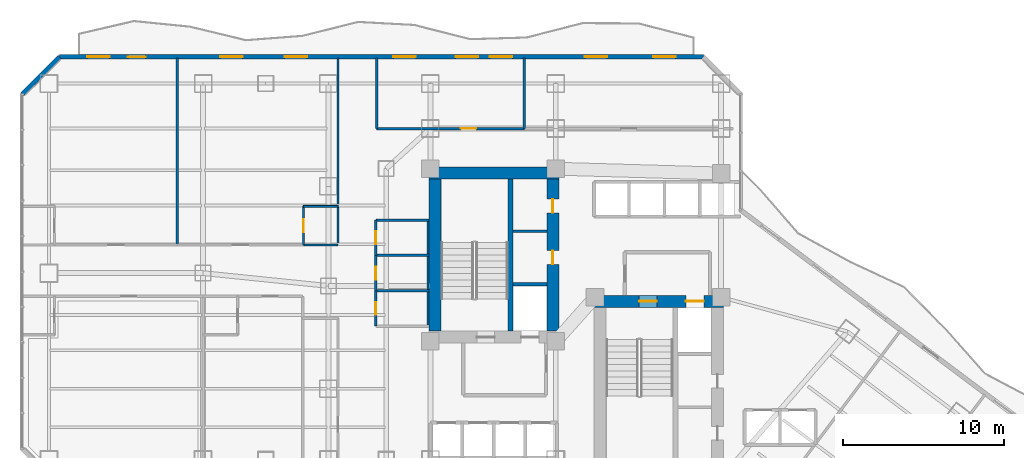
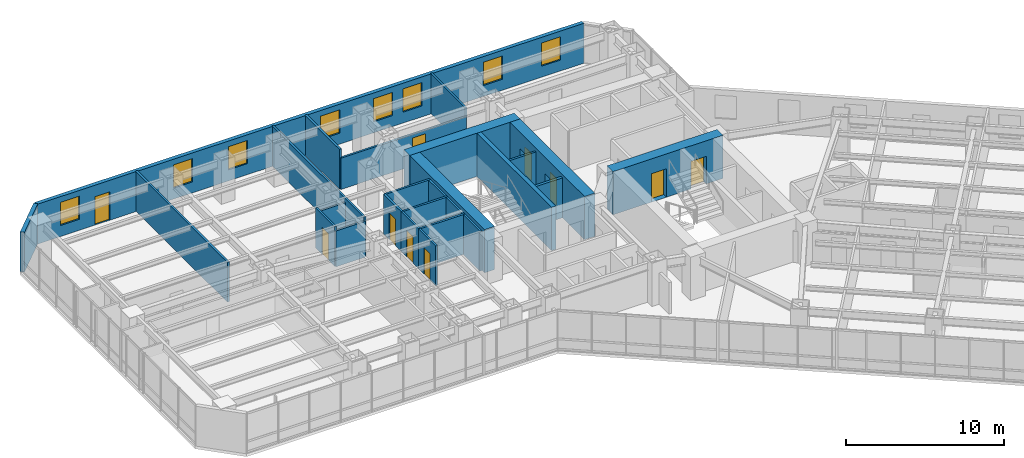
# One storey, part 31 of 39: 24 walls, 10 doors, 8 windows, 18 openings.
"""IFC4 building model written with IfcOpenShell, lengths in metres."""

from ifc_helpers import new_model, si_unit, direction, frame, frame_2d, origin, place, context, subcontext, project, spatial, rectangle, extrude, material, layer, layer_set, type_object, element, fill, save


model = new_model("IFC4")

# Units and contexts
model_context = context("Model", 3, precision=1e-05, world=origin(), true_north=direction((0.0, 1.0)))
body_context = subcontext(model_context, "Body", "Model", "MODEL_VIEW")
ifc_project = project(units=[si_unit("LENGTHUNIT", "METRE"), si_unit("AREAUNIT", "SQUARE_METRE"), si_unit("VOLUMEUNIT", "CUBIC_METRE"), si_unit("PLANEANGLEUNIT", "RADIAN"), si_unit("MASSUNIT", "GRAM", prefix="KILO")], contexts=[model_context])

# Site, building, storey
site_placement = place(None, origin())
site = spatial("IfcSite", under=ifc_project, at=site_placement, CompositionType="ELEMENT")
building_placement = place(site_placement, origin())
building = spatial("IfcBuilding", under=site, at=building_placement, Name="Hatsunagi Terrace Concourse", CompositionType="ELEMENT")
storey_placement = place(building_placement, frame((0.0, 0.0, 66.75)))
storey = spatial("IfcBuildingStorey", under=building, at=storey_placement, Name="L17", CompositionType="ELEMENT", Elevation=66.75)

# Walls
ifc_material_1 = material(Name="Concrete Fc60", Category="concrete")
ifc_layer_1 = layer(ifc_material_1, 0.75)
ifc_layer_set_1 = layer_set([ifc_layer_1], Name="CoreShearWall_Fc60_750")
wall_type_1 = type_object("IfcWallType", Name="CoreShearWall_Fc60_750", PredefinedType="SHEAR", material=ifc_layer_set_1)
wall_1_placement = place(storey_placement, frame((25.469970703125, 43.044921875, 0.0), z_axis=(0.0, 0.0, 1.0), x_axis=(1.0, 0.0, 0.0)))
element("IfcWall", 1, at=wall_1_placement, inside=storey, type_object=wall_type_1, Name="Core A Shear Wall N L17", PredefinedType="SHEAR", context=body_context, shape_type="SweptSolid", body=[
    extrude(rectangle(XDim=8.080078125, YDim=0.75, at=frame_2d((4.0400390625, 0.0))), origin(), (0.0, 0.0, 1.0), 3.35009765625),
])
wall_2_placement = place(storey_placement, frame((25.844970703125, 33.18994140625, 0.0), z_axis=(0.0, 0.0, 1.0), x_axis=(0.0, 1.0, 0.0)))
element("IfcWall", 2, at=wall_2_placement, inside=storey, type_object=wall_type_1, Name="Core A Shear Wall W L17", PredefinedType="SHEAR", context=body_context, shape_type="SweptSolid", body=[
    extrude(rectangle(XDim=9.47998046875, YDim=0.75, at=frame_2d((4.739990234375, 0.0))), origin(), (0.0, 0.0, 1.0), 3.35009765625),
])

# Wall, openings, doors
wall_3_placement = place(storey_placement, frame((33.175048828125, 33.18994140625, 0.0), z_axis=(0.0, 0.0, 1.0), x_axis=(0.0, 1.0, 0.0)))
wall_3 = element("IfcWall", 3, at=wall_3_placement, inside=storey, type_object=wall_type_1, Name="Core A Shear Wall E L17", PredefinedType="SHEAR", context=body_context, shape_type="SweptSolid", body=[
    extrude(rectangle(XDim=9.47998046875, YDim=0.75, at=frame_2d((4.739990234375, 0.0))), origin(), (0.0, 0.0, 1.0), 3.35009765625),
])
opening_1_placement = place(wall_3_placement, frame((4.159912109375, 0.0, 0.0)))
opening_1 = element("IfcOpeningElement", 4, at=opening_1_placement, cuts=wall_3, Name="Opening DR-085", PredefinedType="OPENING", context=body_context, shape_type="SweptSolid", body=[
    extrude(rectangle(XDim=0.85009765625, YDim=2.080078125, at=frame_2d((0.425048828125, 1.0400390625))), frame((0.0, 0.385009765625, 0.0), z_axis=(0.0, -1.0, 0.0), x_axis=(1.0, 0.0, 0.0)), (0.0, 0.0, 1.0), 0.77001953125),
])
opening_2_placement = place(wall_3_placement, frame((7.360107421875, 0.0, 0.0)))
opening_2 = element("IfcOpeningElement", 5, at=opening_2_placement, cuts=wall_3, Name="Opening DR-085", PredefinedType="OPENING", context=body_context, shape_type="SweptSolid", body=[
    extrude(rectangle(XDim=0.85009765625, YDim=2.080078125, at=frame_2d((0.425048828125, 1.0400390625))), frame((0.0, 0.385009765625, 0.0), z_axis=(0.0, -1.0, 0.0), x_axis=(1.0, 0.0, 0.0)), (0.0, 0.0, 1.0), 0.77001953125),
])
ifc_material_2 = material(Name="Painted steel", Category="steel")
door_type_1 = type_object("IfcDoorType", Name="RiserAccessDoor_EI60_850", OperationType="NOTDEFINED", PredefinedType="DOOR", material=ifc_material_2)
door_1_placement = place(opening_1_placement, origin())
door_1 = element("IfcDoor", 6, at=door_1_placement, inside=storey, type_object=door_type_1, Name="Core A Riser Door L17-1", OperationType="SINGLE_SWING_LEFT", OverallHeight=2.080078125, OverallWidth=0.85009765625, PredefinedType="DOOR", context=body_context, shape_type="SweptSolid", body=[
    extrude(rectangle(XDim=0.85009765625, YDim=2.080078125, at=frame_2d((0.425048828125, 1.0400390625))), frame((0.0, 0.02490234375, 0.0), z_axis=(0.0, -1.0, 0.0), x_axis=(1.0, 0.0, 0.0)), (0.0, 0.0, 1.0), 0.050048828125),
])
fill(opening_1, door_1)
door_2_placement = place(opening_2_placement, origin())
door_2 = element("IfcDoor", 7, at=door_2_placement, inside=storey, type_object=door_type_1, Name="Core A Riser Door L17-2", OperationType="SINGLE_SWING_LEFT", OverallHeight=2.080078125, OverallWidth=0.85009765625, PredefinedType="DOOR", context=body_context, shape_type="SweptSolid", body=[
    extrude(rectangle(XDim=0.85009765625, YDim=2.080078125, at=frame_2d((0.425048828125, 1.0400390625))), frame((0.0, 0.02490234375, 0.0), z_axis=(0.0, -1.0, 0.0), x_axis=(1.0, 0.0, 0.0)), (0.0, 0.0, 1.0), 0.050048828125),
])
fill(opening_2, door_2)

wall_4_placement = place(storey_placement, frame((35.739990234375, 35.044921875, 0.0), z_axis=(0.0, 0.0, 1.0), x_axis=(1.0, 0.0, 0.0)))
wall_4 = element("IfcWall", 8, at=wall_4_placement, inside=storey, type_object=wall_type_1, Name="Core B Shear Wall N L17", PredefinedType="SHEAR", context=body_context, shape_type="SweptSolid", body=[
    extrude(rectangle(XDim=8.06005859375, YDim=0.75, at=frame_2d((4.030029296875, 0.0))), origin(), (0.0, 0.0, 1.0), 3.35009765625),
])
opening_3_placement = place(wall_4_placement, frame((2.81005859375, 0.0, 0.0)))
opening_3 = element("IfcOpeningElement", 9, at=opening_3_placement, cuts=wall_4, Name="Opening DR-110S", PredefinedType="OPENING", context=body_context, shape_type="SweptSolid", body=[
    extrude(rectangle(XDim=1.10009765625, YDim=2.199951171875, at=frame_2d((0.550048828125, 1.10009765625))), frame((0.0, 0.385009765625, 0.0), z_axis=(0.0, -1.0, 0.0), x_axis=(1.0, 0.0, 0.0)), (0.0, 0.0, 1.0), 0.77001953125),
])
opening_4_placement = place(wall_4_placement, frame((5.7099609375, 0.0, 0.0)))
opening_4 = element("IfcOpeningElement", 10, at=opening_4_placement, cuts=wall_4, Name="Opening LD-02", PredefinedType="OPENING", context=body_context, shape_type="SweptSolid", body=[
    extrude(rectangle(XDim=1.1201171875, YDim=2.14990234375, at=frame_2d((0.56005859375, 1.074951171875))), frame((0.0, 0.385009765625, 0.0), z_axis=(0.0, -1.0, 0.0), x_axis=(1.0, 0.0, 0.0)), (0.0, 0.0, 1.0), 0.77001953125),
])
ifc_material_3 = material(Name="Stainless steel", Category="steel")
door_type_2 = type_object("IfcDoorType", Name="LiftLandingDoor_LD02", OperationType="SLIDING_TO_RIGHT", PredefinedType="USERDEFINED", material=ifc_material_3)
door_3_placement = place(opening_4_placement, origin())
door_3 = element("IfcDoor", 11, at=door_3_placement, inside=storey, type_object=door_type_2, Name="Lift landing door FF-02 L17", ObjectType="SLIDING_LANDING_DOOR", OperationType="SLIDING_TO_RIGHT", OverallHeight=2.14990234375, OverallWidth=1.1201171875, PredefinedType="USERDEFINED", context=body_context, shape_type="SweptSolid", body=[
    extrude(rectangle(XDim=1.1201171875, YDim=2.14990234375, at=frame_2d((0.56005859375, 1.074951171875))), frame((0.0, 0.02490234375, 0.0), z_axis=(0.0, -1.0, 0.0), x_axis=(1.0, 0.0, 0.0)), (0.0, 0.0, 1.0), 0.050048828125),
])
fill(opening_4, door_3)
ifc_material_4 = material(Name="Painted steel", Category="steel")
door_type_3 = type_object("IfcDoorType", Name="StairFireDoor_EI60_1100", OperationType="NOTDEFINED", PredefinedType="DOOR", material=ifc_material_4)
door_4_placement = place(opening_3_placement, origin())
door_4 = element("IfcDoor", 12, at=door_4_placement, inside=storey, type_object=door_type_3, Name="Stair ST-B Exit Door L17", OperationType="SINGLE_SWING_RIGHT", OverallHeight=2.199951171875, OverallWidth=1.10009765625, PredefinedType="DOOR", context=body_context, shape_type="SweptSolid", body=[
    extrude(rectangle(XDim=1.10009765625, YDim=2.199951171875, at=frame_2d((0.550048828125, 1.10009765625))), frame((0.0, 0.02490234375, 0.0), z_axis=(0.0, -1.0, 0.0), x_axis=(1.0, 0.0, 0.0)), (0.0, 0.0, 1.0), 0.050048828125),
])
fill(opening_3, door_4)

# Wall
ifc_material_5 = material(Name="Concrete Fc48", Category="concrete")
ifc_layer_2 = layer(ifc_material_5, 0.300048828125)
ifc_layer_set_2 = layer_set([ifc_layer_2], Name="CoreStairDivider_Fc48_300")
wall_type_2 = type_object("IfcWallType", Name="CoreStairDivider_Fc48_300", PredefinedType="SHEAR", material=ifc_layer_set_2)
wall_5_placement = place(storey_placement, frame((30.5400390625, 33.18994140625, 0.0), z_axis=(0.0, 0.0, 1.0), x_axis=(0.0, 1.0, 0.0)))
element("IfcWall", 13, at=wall_5_placement, inside=storey, type_object=wall_type_2, Name="Core A Shear Wall D L17", PredefinedType="SHEAR", context=body_context, shape_type="SweptSolid", body=[
    extrude(rectangle(XDim=9.47998046875, YDim=0.300048828125, at=frame_2d((4.739990234375, 0.0))), origin(), (0.0, 0.0, 1.0), 3.35009765625),
])

# Wall, opening, door
ifc_material_6 = material(Name="Acoustic mineral board", Category="gypsum")
ifc_layer_3 = layer(ifc_material_6, 0.1201171875)
ifc_layer_set_3 = layer_set([ifc_layer_3], Name="PartitionWall_EI30_120")
wall_type_3 = type_object("IfcWallType", Name="PartitionWall_EI30_120", PredefinedType="PARTITIONING", material=ifc_layer_set_3)
wall_6_placement = place(storey_placement, frame((17.64990234375, 38.550048828125, 0.0), z_axis=(0.0, 0.0, 1.0), x_axis=(0.0, 1.0, 0.0)))
wall_6 = element("IfcWall", 14, at=wall_6_placement, inside=storey, type_object=wall_type_3, Name="Interior Partition IW-L17-051", PredefinedType="PARTITIONING", context=body_context, shape_type="SweptSolid", body=[
    extrude(rectangle(XDim=2.39990234375, YDim=0.1201171875, at=frame_2d((1.199951171875, 0.0))), origin(), (0.0, 0.0, 1.0), 3.090087890625),
])
opening_5_placement = place(wall_6_placement, frame((0.800048828125, 0.0, 0.0)))
opening_5 = element("IfcOpeningElement", 15, at=opening_5_placement, cuts=wall_6, Name="Opening DR-080", PredefinedType="OPENING", context=body_context, shape_type="SweptSolid", body=[
    extrude(rectangle(XDim=0.800048828125, YDim=2.06005859375, at=frame_2d((0.39990234375, 1.030029296875))), frame((0.0, 0.070068359375, 0.0), z_axis=(0.0, -1.0, 0.0), x_axis=(1.0, 0.0, 0.0)), (0.0, 0.0, 1.0), 0.14013671875),
])
ifc_material_7 = material(Name="Hardwood timber", Category="wood")
door_type_4 = type_object("IfcDoorType", Name="BathroomDoor_800", OperationType="NOTDEFINED", PredefinedType="DOOR", material=ifc_material_7)
door_5_placement = place(opening_5_placement, origin())
door_5 = element("IfcDoor", 16, at=door_5_placement, inside=storey, type_object=door_type_4, Name="En-Suite Bathroom L17-N2 Door", OperationType="SINGLE_SWING_LEFT", OverallHeight=2.06005859375, OverallWidth=0.800048828125, PredefinedType="DOOR", context=body_context, shape_type="SweptSolid", body=[
    extrude(rectangle(XDim=0.800048828125, YDim=2.06005859375, at=frame_2d((0.39990234375, 1.030029296875))), frame((0.0, 0.02490234375, 0.0), z_axis=(0.0, -1.0, 0.0), x_axis=(1.0, 0.0, 0.0)), (0.0, 0.0, 1.0), 0.050048828125),
])
fill(opening_5, door_5)

# Walls
wall_7_placement = place(storey_placement, frame((17.64990234375, 40.949951171875, 0.0), z_axis=(0.0, 0.0, 1.0), x_axis=(1.0, 0.0, 0.0)))
element("IfcWall", 17, at=wall_7_placement, inside=storey, type_object=wall_type_3, Name="Interior Partition IW-L17-052", PredefinedType="PARTITIONING", context=body_context, shape_type="SweptSolid", body=[
    extrude(rectangle(XDim=2.150146484375, YDim=0.1201171875, at=frame_2d((1.0751953125, 0.0))), origin(), (0.0, 0.0, 1.0), 2.77490234375),
])
ifc_material_8 = material(Name="Acoustic mineral board", Category="gypsum")
ifc_layer_4 = layer(ifc_material_8, 0.14990234375)
ifc_layer_set_4 = layer_set([ifc_layer_4], Name="PartitionWall_EI60_150")
wall_type_4 = type_object("IfcWallType", Name="PartitionWall_EI60_150", PredefinedType="PARTITIONING", material=ifc_layer_set_4)
wall_8_placement = place(storey_placement, frame((30.699951171875, 39.39990234375, 0.0), z_axis=(0.0, 0.0, 1.0), x_axis=(1.0, 0.0, 0.0)))
element("IfcWall", 18, at=wall_8_placement, inside=storey, type_object=wall_type_4, Name="Interior Partition IW-L17-002", PredefinedType="PARTITIONING", context=body_context, shape_type="SweptSolid", body=[
    extrude(rectangle(XDim=2.10009765625, YDim=0.14990234375, at=frame_2d((1.050048828125, 0.0))), origin(), (0.0, 0.0, 1.0), 3.090087890625),
])
wall_9_placement = place(storey_placement, frame((22.14990234375, 40.10009765625, 0.0), z_axis=(0.0, 0.0, 1.0), x_axis=(1.0, 0.0, 0.0)))
element("IfcWall", 19, at=wall_9_placement, inside=storey, type_object=wall_type_4, Name="Interior Partition IW-L17-030", PredefinedType="PARTITIONING", context=body_context, shape_type="SweptSolid", body=[
    extrude(rectangle(XDim=3.300048828125, YDim=0.14990234375, at=frame_2d((1.64990234375, 0.0))), origin(), (0.0, 0.0, 1.0), 3.090087890625),
])
wall_10_placement = place(storey_placement, frame((25.39990234375, 33.5, 0.0), z_axis=(0.0, 0.0, 1.0), x_axis=(0.0, 1.0, 0.0)))
element("IfcWall", 20, at=wall_10_placement, inside=storey, type_object=wall_type_4, Name="Interior Partition IW-L17-031", PredefinedType="PARTITIONING", context=body_context, shape_type="SweptSolid", body=[
    extrude(rectangle(XDim=6.60009765625, YDim=0.14990234375, at=frame_2d((3.300048828125, 0.0))), origin(), (0.0, 0.0, 1.0), 3.090087890625),
])
for number, where, z_axis, x_axis, name in (
    (21, (22.14990234375, 35.699951171875, 0.0), (0.0, 0.0, 1.0), (1.0, 0.0, 0.0), "Interior Partition IW-L17-032"),
    (22, (22.14990234375, 37.89990234375, 0.0), (0.0, 0.0, 1.0), (1.0, 0.0, 0.0), "Interior Partition IW-L17-033"),
):
    element("IfcWall", number, at=place(storey_placement, frame(where, z_axis=z_axis, x_axis=x_axis)), inside=storey, type_object=wall_type_4, Name=name, PredefinedType="PARTITIONING", context=body_context, shape_type="SweptSolid", body=[
        extrude(rectangle(XDim=3.300048828125, YDim=0.14990234375, at=frame_2d((1.64990234375, 0.0))), origin(), (0.0, 0.0, 1.0), 3.090087890625),
    ])

# Wall, opening, door
wall_11_placement = place(storey_placement, frame((22.14990234375, 33.5, 0.0), z_axis=(0.0, 0.0, 1.0), x_axis=(0.0, 1.0, 0.0)))
wall_11 = element("IfcWall", 23, at=wall_11_placement, inside=storey, type_object=wall_type_4, Name="Interior Partition IW-L17-034", PredefinedType="PARTITIONING", context=body_context, shape_type="SweptSolid", body=[
    extrude(rectangle(XDim=2.199951171875, YDim=0.14990234375, at=frame_2d((1.10009765625, 0.0))), origin(), (0.0, 0.0, 1.0), 3.090087890625),
])
opening_6_placement = place(wall_11_placement, frame((0.699951171875, 0.0, 0.0)))
opening_6 = element("IfcOpeningElement", 24, at=opening_6_placement, cuts=wall_11, Name="Opening DR-080", PredefinedType="OPENING", context=body_context, shape_type="SweptSolid", body=[
    extrude(rectangle(XDim=0.800048828125, YDim=2.06005859375, at=frame_2d((0.39990234375, 1.030029296875))), frame((0.0, 0.0849609375, 0.0), z_axis=(0.0, -1.0, 0.0), x_axis=(1.0, 0.0, 0.0)), (0.0, 0.0, 1.0), 0.169921875),
])
door_6_placement = place(opening_6_placement, origin())
door_6 = element("IfcDoor", 25, at=door_6_placement, inside=storey, type_object=door_type_4, Name="Accessible WC Door L17", OperationType="SINGLE_SWING_RIGHT", OverallHeight=2.06005859375, OverallWidth=0.800048828125, PredefinedType="DOOR", context=body_context, shape_type="SweptSolid", body=[
    extrude(rectangle(XDim=0.800048828125, YDim=2.06005859375, at=frame_2d((0.39990234375, 1.030029296875))), frame((0.0, 0.02490234375, 0.0), z_axis=(0.0, -1.0, 0.0), x_axis=(1.0, 0.0, 0.0)), (0.0, 0.0, 1.0), 0.050048828125),
])
fill(opening_6, door_6)

wall_12_placement = place(storey_placement, frame((22.14990234375, 35.699951171875, 0.0), z_axis=(0.0, 0.0, 1.0), x_axis=(0.0, 1.0, 0.0)))
wall_12 = element("IfcWall", 26, at=wall_12_placement, inside=storey, type_object=wall_type_4, Name="Interior Partition IW-L17-035", PredefinedType="PARTITIONING", context=body_context, shape_type="SweptSolid", body=[
    extrude(rectangle(XDim=2.199951171875, YDim=0.14990234375, at=frame_2d((1.10009765625, 0.0))), origin(), (0.0, 0.0, 1.0), 3.090087890625),
])
opening_7_placement = place(wall_12_placement, frame((0.699951171875, 0.0, 0.0)))
opening_7 = element("IfcOpeningElement", 27, at=opening_7_placement, cuts=wall_12, Name="Opening DR-080", PredefinedType="OPENING", context=body_context, shape_type="SweptSolid", body=[
    extrude(rectangle(XDim=0.800048828125, YDim=2.06005859375, at=frame_2d((0.39990234375, 1.030029296875))), frame((0.0, 0.0849609375, 0.0), z_axis=(0.0, -1.0, 0.0), x_axis=(1.0, 0.0, 0.0)), (0.0, 0.0, 1.0), 0.169921875),
])
door_7_placement = place(opening_7_placement, origin())
door_7 = element("IfcDoor", 28, at=door_7_placement, inside=storey, type_object=door_type_4, Name="Female Restroom Door L17", OperationType="SINGLE_SWING_RIGHT", OverallHeight=2.06005859375, OverallWidth=0.800048828125, PredefinedType="DOOR", context=body_context, shape_type="SweptSolid", body=[
    extrude(rectangle(XDim=0.800048828125, YDim=2.06005859375, at=frame_2d((0.39990234375, 1.030029296875))), frame((0.0, 0.02490234375, 0.0), z_axis=(0.0, -1.0, 0.0), x_axis=(1.0, 0.0, 0.0)), (0.0, 0.0, 1.0), 0.050048828125),
])
fill(opening_7, door_7)

wall_13_placement = place(storey_placement, frame((22.14990234375, 37.89990234375, 0.0), z_axis=(0.0, 0.0, 1.0), x_axis=(0.0, 1.0, 0.0)))
wall_13 = element("IfcWall", 29, at=wall_13_placement, inside=storey, type_object=wall_type_4, Name="Interior Partition IW-L17-036", PredefinedType="PARTITIONING", context=body_context, shape_type="SweptSolid", body=[
    extrude(rectangle(XDim=2.2001953125, YDim=0.14990234375, at=frame_2d((1.10009765625, 0.0))), origin(), (0.0, 0.0, 1.0), 3.090087890625),
])
opening_8_placement = place(wall_13_placement, frame((0.699951171875, 0.0, 0.0)))
opening_8 = element("IfcOpeningElement", 30, at=opening_8_placement, cuts=wall_13, Name="Opening DR-080", PredefinedType="OPENING", context=body_context, shape_type="SweptSolid", body=[
    extrude(rectangle(XDim=0.800048828125, YDim=2.06005859375, at=frame_2d((0.39990234375, 1.030029296875))), frame((0.0, 0.0849609375, 0.0), z_axis=(0.0, -1.0, 0.0), x_axis=(1.0, 0.0, 0.0)), (0.0, 0.0, 1.0), 0.169921875),
])
door_8_placement = place(opening_8_placement, origin())
door_8 = element("IfcDoor", 31, at=door_8_placement, inside=storey, type_object=door_type_4, Name="Male Restroom Door L17", OperationType="SINGLE_SWING_RIGHT", OverallHeight=2.06005859375, OverallWidth=0.800048828125, PredefinedType="DOOR", context=body_context, shape_type="SweptSolid", body=[
    extrude(rectangle(XDim=0.800048828125, YDim=2.06005859375, at=frame_2d((0.39990234375, 1.030029296875))), frame((0.0, 0.02490234375, 0.0), z_axis=(0.0, -1.0, 0.0), x_axis=(1.0, 0.0, 0.0)), (0.0, 0.0, 1.0), 0.050048828125),
])
fill(opening_8, door_8)

wall_14_placement = place(storey_placement, frame((22.199951171875, 45.800048828125, 0.0), z_axis=(0.0, 0.0, 1.0), x_axis=(1.0, 0.0, 0.0)))
wall_14 = element("IfcWall", 32, at=wall_14_placement, inside=storey, type_object=wall_type_4, Name="Interior Partition IW-L17-037", PredefinedType="PARTITIONING", context=body_context, shape_type="SweptSolid", body=[
    extrude(rectangle(XDim=9.199951171875, YDim=0.14990234375, at=frame_2d((4.60009765625, 0.0))), origin(), (0.0, 0.0, 1.0), 2.425048828125),
])
opening_9_placement = place(wall_14_placement, frame((5.248046875, 0.0, 0.0)))
opening_9 = element("IfcOpeningElement", 33, at=opening_9_placement, cuts=wall_14, Name="Opening DR-095", PredefinedType="OPENING", context=body_context, shape_type="SweptSolid", body=[
    extrude(rectangle(XDim=0.949951171875, YDim=2.14990234375, at=frame_2d((0.47509765625, 1.074951171875))), frame((0.0, 0.0849609375, 0.0), z_axis=(0.0, -1.0, 0.0), x_axis=(1.0, 0.0, 0.0)), (0.0, 0.0, 1.0), 0.169921875),
])
ifc_material_9 = material(Name="Hardwood timber", Category="wood")
door_type_5 = type_object("IfcDoorType", Name="InteriorSuiteDoor_EI30_950", OperationType="NOTDEFINED", PredefinedType="DOOR", material=ifc_material_9)
door_9_placement = place(opening_9_placement, origin())
door_9 = element("IfcDoor", 34, at=door_9_placement, inside=storey, type_object=door_type_5, Name="Housekeeping Linen Room L17-HLIN Door", OperationType="SINGLE_SWING_LEFT", OverallHeight=2.14990234375, OverallWidth=0.949951171875, PredefinedType="DOOR", context=body_context, shape_type="SweptSolid", body=[
    extrude(rectangle(XDim=0.949951171875, YDim=2.14990234375, at=frame_2d((0.47509765625, 1.074951171875))), frame((0.0, 0.02490234375, 0.0), z_axis=(0.0, -1.0, 0.0), x_axis=(1.0, 0.0, 0.0)), (0.0, 0.0, 1.0), 0.050048828125),
])
fill(opening_9, door_9)

# Walls
for number, where, z_axis, x_axis, name in (
    (35, (22.199951171875, 45.800048828125, 0.0), (0.0, 0.0, 1.0), (0.0, 1.0, 0.0), "Interior Partition IW-L17-038"),
    (36, (31.39990234375, 45.800048828125, 0.0), (0.0, 0.0, 1.0), (0.0, 1.0, 0.0), "Interior Partition IW-L17-039"),
):
    element("IfcWall", number, at=place(storey_placement, frame(where, z_axis=z_axis, x_axis=x_axis)), inside=storey, type_object=wall_type_4, Name=name, PredefinedType="PARTITIONING", context=body_context, shape_type="SweptSolid", body=[
        extrude(rectangle(XDim=4.39990234375, YDim=0.14990234375, at=frame_2d((2.199951171875, 0.0))), origin(), (0.0, 0.0, 1.0), 3.090087890625),
    ])
wall_15_placement = place(storey_placement, frame((9.800048828125, 38.550048828125, 0.0), z_axis=(0.0, 0.0, 1.0), x_axis=(0.0, 1.0, 0.0)))
element("IfcWall", 37, at=wall_15_placement, inside=storey, type_object=wall_type_4, Name="Interior Partition IW-L17-048", PredefinedType="PARTITIONING", context=body_context, shape_type="SweptSolid", body=[
    extrude(rectangle(XDim=11.64990234375, YDim=0.14990234375, at=frame_2d((5.824951171875, 0.0))), origin(), (0.0, 0.0, 1.0), 3.090087890625),
])
wall_16_placement = place(storey_placement, frame((17.64990234375, 38.550048828125, 0.0), z_axis=(0.0, 0.0, 1.0), x_axis=(1.0, 0.0, 0.0)))
element("IfcWall", 38, at=wall_16_placement, inside=storey, type_object=wall_type_4, Name="Interior Partition IW-L17-050", PredefinedType="PARTITIONING", context=body_context, shape_type="SweptSolid", body=[
    extrude(rectangle(XDim=2.150146484375, YDim=0.14990234375, at=frame_2d((1.0751953125, 0.0))), origin(), (0.0, 0.0, 1.0), 2.77490234375),
])
wall_17_placement = place(storey_placement, frame((19.800048828125, 38.550048828125, 0.0), z_axis=(0.0, 0.0, 1.0), x_axis=(0.0, 1.0, 0.0)))
element("IfcWall", 39, at=wall_17_placement, inside=storey, type_object=wall_type_4, Name="Interior Partition IW-L17-053", PredefinedType="PARTITIONING", context=body_context, shape_type="SweptSolid", body=[
    extrude(rectangle(XDim=11.64990234375, YDim=0.14990234375, at=frame_2d((5.824951171875, 0.0))), origin(), (0.0, 0.0, 1.0), 3.090087890625),
])
ifc_material_10 = material(Name="Acoustic mineral board", Category="gypsum")
ifc_layer_5 = layer(ifc_material_10, 0.199951171875)
ifc_layer_set_5 = layer_set([ifc_layer_5], Name="ShaftWall_EI120_200")
wall_type_5 = type_object("IfcWallType", Name="ShaftWall_EI120_200", PredefinedType="STANDARD", material=ifc_layer_set_5)
wall_18_placement = place(storey_placement, frame((30.699951171875, 36.10009765625, 0.0), z_axis=(0.0, 0.0, 1.0), x_axis=(1.0, 0.0, 0.0)))
element("IfcWall", 40, at=wall_18_placement, inside=storey, type_object=wall_type_5, Name="Interior Partition IW-L17-001", PredefinedType="STANDARD", context=body_context, shape_type="SweptSolid", body=[
    extrude(rectangle(XDim=2.10009765625, YDim=0.199951171875, at=frame_2d((1.050048828125, 0.0))), origin(), (0.0, 0.0, 1.0), 3.090087890625),
])
ifc_material_11 = material(Name="Autoclaved Lightweight Concrete and Terracotta Cladding", Category="masonry")
ifc_layer_6 = layer(ifc_material_11, 0.280029296875)
ifc_layer_set_6 = layer_set([ifc_layer_6], Name="TerracottaSpandrelWall_280")
wall_type_6 = type_object("IfcWallType", Name="TerracottaSpandrelWall_280", PredefinedType="STANDARD", material=ifc_layer_set_6)
wall_19_placement = place(storey_placement, frame((0.139892578125, 47.94189453125, 0.0), z_axis=(0.0, 0.0, 1.0), x_axis=(0.707106781187, 0.707106781187, 0.0)))
element("IfcWall", 41, at=wall_19_placement, inside=storey, type_object=wall_type_6, Name="Exterior Spandrel Wall EW-L17-10", PredefinedType="STANDARD", context=body_context, shape_type="SweptSolid", body=[
    extrude(rectangle(XDim=3.2783203125, YDim=0.280029296875, at=frame_2d((1.63916015625, 0.0))), origin(), (0.0, 0.0, 1.0), 3.090087890625),
])

# Wall, openings, door, windows
wall_20_placement = place(storey_placement, frame((2.4580078125, 50.260009765625, 0.0), z_axis=(0.0, 0.0, 1.0), x_axis=(1.0, 0.0, 0.0)))
wall_20 = element("IfcWall", 42, at=wall_20_placement, inside=storey, type_object=wall_type_6, Name="Exterior Spandrel Wall EW-L17-11", PredefinedType="STANDARD", context=body_context, shape_type="SweptSolid", body=[
    extrude(rectangle(XDim=40.083984375, YDim=0.280029296875, at=frame_2d((20.0419921875, 0.0))), origin(), (0.0, 0.0, 1.0), 3.090087890625),
])
opening_10_placement = place(wall_20_placement, frame((4.260009765625, 0.0, 0.0)))
opening_10 = element("IfcOpeningElement", 43, at=opening_10_placement, cuts=wall_20, Name="Opening BD-01", PredefinedType="OPENING", context=body_context, shape_type="SweptSolid", body=[
    extrude(rectangle(XDim=1.10009765625, YDim=2.199951171875, at=frame_2d((0.550048828125, 1.10009765625))), frame((0.0, 0.14990234375, 0.0), z_axis=(0.0, -1.0, 0.0), x_axis=(1.0, 0.0, 0.0)), (0.0, 0.0, 1.0), 0.300048828125),
])
opening_11_placement = place(wall_20_placement, frame((1.717041015625, 0.0, 0.85009765625)))
opening_11 = element("IfcOpeningElement", 44, at=opening_11_placement, cuts=wall_20, Name="Opening WIN-02", PredefinedType="OPENING", context=body_context, shape_type="SweptSolid", body=[
    extrude(rectangle(XDim=1.39990234375, YDim=1.800048828125, at=frame_2d((0.699951171875, 0.89990234375))), frame((0.0, 0.14990234375, 0.0), z_axis=(0.0, -1.0, 0.0), x_axis=(1.0, 0.0, 0.0)), (0.0, 0.0, 1.0), 0.300048828125),
])
opening_12_placement = place(wall_20_placement, frame((10.0, 0.0, 0.85009765625)))
opening_12 = element("IfcOpeningElement", 45, at=opening_12_placement, cuts=wall_20, Name="Opening WIN-02", PredefinedType="OPENING", context=body_context, shape_type="SweptSolid", body=[
    extrude(rectangle(XDim=1.39990234375, YDim=1.800048828125, at=frame_2d((0.699951171875, 0.89990234375))), frame((0.0, 0.14990234375, 0.0), z_axis=(0.0, -1.0, 0.0), x_axis=(1.0, 0.0, 0.0)), (0.0, 0.0, 1.0), 0.300048828125),
])
opening_13_placement = place(wall_20_placement, frame((14.02001953125, 0.0, 0.85009765625)))
opening_13 = element("IfcOpeningElement", 46, at=opening_13_placement, cuts=wall_20, Name="Opening WIN-02", PredefinedType="OPENING", context=body_context, shape_type="SweptSolid", body=[
    extrude(rectangle(XDim=1.39990234375, YDim=1.800048828125, at=frame_2d((0.699951171875, 0.89990234375))), frame((0.0, 0.14990234375, 0.0), z_axis=(0.0, -1.0, 0.0), x_axis=(1.0, 0.0, 0.0)), (0.0, 0.0, 1.0), 0.300048828125),
])
opening_14_placement = place(wall_20_placement, frame((20.7890625, 0.0, 0.85009765625)))
opening_14 = element("IfcOpeningElement", 47, at=opening_14_placement, cuts=wall_20, Name="Opening WIN-02", PredefinedType="OPENING", context=body_context, shape_type="SweptSolid", body=[
    extrude(rectangle(XDim=1.39990234375, YDim=1.800048828125, at=frame_2d((0.699951171875, 0.89990234375))), frame((0.0, 0.14990234375, 0.0), z_axis=(0.0, -1.0, 0.0), x_axis=(1.0, 0.0, 0.0)), (0.0, 0.0, 1.0), 0.300048828125),
])
opening_15_placement = place(wall_20_placement, frame((24.6640625, 0.0, 0.85009765625)))
opening_15 = element("IfcOpeningElement", 48, at=opening_15_placement, cuts=wall_20, Name="Opening WIN-02", PredefinedType="OPENING", context=body_context, shape_type="SweptSolid", body=[
    extrude(rectangle(XDim=1.39990234375, YDim=1.800048828125, at=frame_2d((0.699951171875, 0.89990234375))), frame((0.0, 0.14990234375, 0.0), z_axis=(0.0, -1.0, 0.0), x_axis=(1.0, 0.0, 0.0)), (0.0, 0.0, 1.0), 0.300048828125),
])
opening_16_placement = place(wall_20_placement, frame((26.802978515625, 0.0, 0.85009765625)))
opening_16 = element("IfcOpeningElement", 49, at=opening_16_placement, cuts=wall_20, Name="Opening WIN-02", PredefinedType="OPENING", context=body_context, shape_type="SweptSolid", body=[
    extrude(rectangle(XDim=1.39990234375, YDim=1.800048828125, at=frame_2d((0.699951171875, 0.89990234375))), frame((0.0, 0.14990234375, 0.0), z_axis=(0.0, -1.0, 0.0), x_axis=(1.0, 0.0, 0.0)), (0.0, 0.0, 1.0), 0.300048828125),
])
opening_17_placement = place(wall_20_placement, frame((32.702880859375, 0.0, 0.85009765625)))
opening_17 = element("IfcOpeningElement", 50, at=opening_17_placement, cuts=wall_20, Name="Opening WIN-02", PredefinedType="OPENING", context=body_context, shape_type="SweptSolid", body=[
    extrude(rectangle(XDim=1.39990234375, YDim=1.800048828125, at=frame_2d((0.699951171875, 0.89990234375))), frame((0.0, 0.14990234375, 0.0), z_axis=(0.0, -1.0, 0.0), x_axis=(1.0, 0.0, 0.0)), (0.0, 0.0, 1.0), 0.300048828125),
])
opening_18_placement = place(wall_20_placement, frame((36.967041015625, 0.0, 0.85009765625)))
opening_18 = element("IfcOpeningElement", 51, at=opening_18_placement, cuts=wall_20, Name="Opening WIN-02", PredefinedType="OPENING", context=body_context, shape_type="SweptSolid", body=[
    extrude(rectangle(XDim=1.39990234375, YDim=1.800048828125, at=frame_2d((0.699951171875, 0.89990234375))), frame((0.0, 0.14990234375, 0.0), z_axis=(0.0, -1.0, 0.0), x_axis=(1.0, 0.0, 0.0)), (0.0, 0.0, 1.0), 0.300048828125),
])
ifc_material_12 = material(Name="Galvanised Steel and Laminated Safety Glass", Category="steel")
door_type_6 = type_object("IfcDoorType", Name="BalconyTerraceAccessDoor_1100x2200", OperationType="SINGLE_SWING_LEFT", PredefinedType="DOOR", material=ifc_material_12)
door_10_placement = place(opening_10_placement, origin())
door_10 = element("IfcDoor", 52, at=door_10_placement, inside=storey, type_object=door_type_6, Name="Engawa Balcony Door L17-BN", OperationType="SINGLE_SWING_RIGHT", OverallHeight=2.199951171875, OverallWidth=1.10009765625, PredefinedType="DOOR", context=body_context, shape_type="SweptSolid", body=[
    extrude(rectangle(XDim=1.10009765625, YDim=2.199951171875, at=frame_2d((0.550048828125, 1.10009765625))), frame((0.0, 0.02490234375, 0.0), z_axis=(0.0, -1.0, 0.0), x_axis=(1.0, 0.0, 0.0)), (0.0, 0.0, 1.0), 0.050048828125),
])
fill(opening_10, door_10)
ifc_material_13 = material(Name="Thermally Broken Aluminium and Low-E Triple Glazing", Category="aluminium")
window_type = type_object("IfcWindowType", Name="HotelOperableVentWindow_1400x1800", PartitioningType="DOUBLE_PANEL_VERTICAL", PredefinedType="WINDOW", material=ifc_material_13)
window_1_placement = place(opening_11_placement, origin())
window_1 = element("IfcWindow", 53, at=window_1_placement, inside=storey, type_object=window_type, Name="Balcony Daylighting Window L17-11-1", OverallHeight=1.800048828125, OverallWidth=1.39990234375, PartitioningType="SINGLE_PANEL", PredefinedType="WINDOW", context=body_context, shape_type="SweptSolid", body=[
    extrude(rectangle(XDim=1.39990234375, YDim=1.800048828125, at=frame_2d((0.699951171875, 0.89990234375))), frame((0.0, 0.030029296875, 0.0), z_axis=(0.0, -1.0, 0.0), x_axis=(1.0, 0.0, 0.0)), (0.0, 0.0, 1.0), 0.06005859375),
])
fill(opening_11, window_1)
window_2_placement = place(opening_12_placement, origin())
window_2 = element("IfcWindow", 54, at=window_2_placement, inside=storey, type_object=window_type, Name="Balcony Daylighting Window L17-11-3", OverallHeight=1.800048828125, OverallWidth=1.39990234375, PartitioningType="SINGLE_PANEL", PredefinedType="WINDOW", context=body_context, shape_type="SweptSolid", body=[
    extrude(rectangle(XDim=1.39990234375, YDim=1.800048828125, at=frame_2d((0.699951171875, 0.89990234375))), frame((0.0, 0.030029296875, 0.0), z_axis=(0.0, -1.0, 0.0), x_axis=(1.0, 0.0, 0.0)), (0.0, 0.0, 1.0), 0.06005859375),
])
fill(opening_12, window_2)
window_3_placement = place(opening_13_placement, origin())
window_3 = element("IfcWindow", 55, at=window_3_placement, inside=storey, type_object=window_type, Name="Balcony Daylighting Window L17-11-4", OverallHeight=1.800048828125, OverallWidth=1.39990234375, PartitioningType="SINGLE_PANEL", PredefinedType="WINDOW", context=body_context, shape_type="SweptSolid", body=[
    extrude(rectangle(XDim=1.39990234375, YDim=1.800048828125, at=frame_2d((0.699951171875, 0.89990234375))), frame((0.0, 0.030029296875, 0.0), z_axis=(0.0, -1.0, 0.0), x_axis=(1.0, 0.0, 0.0)), (0.0, 0.0, 1.0), 0.06005859375),
])
fill(opening_13, window_3)
window_4_placement = place(opening_14_placement, origin())
window_4 = element("IfcWindow", 56, at=window_4_placement, inside=storey, type_object=window_type, Name="Balcony Daylighting Window L17-11-5", OverallHeight=1.800048828125, OverallWidth=1.39990234375, PartitioningType="SINGLE_PANEL", PredefinedType="WINDOW", context=body_context, shape_type="SweptSolid", body=[
    extrude(rectangle(XDim=1.39990234375, YDim=1.800048828125, at=frame_2d((0.699951171875, 0.89990234375))), frame((0.0, 0.030029296875, 0.0), z_axis=(0.0, -1.0, 0.0), x_axis=(1.0, 0.0, 0.0)), (0.0, 0.0, 1.0), 0.06005859375),
])
fill(opening_14, window_4)
window_5_placement = place(opening_15_placement, origin())
window_5 = element("IfcWindow", 57, at=window_5_placement, inside=storey, type_object=window_type, Name="Balcony Daylighting Window L17-11-6", OverallHeight=1.800048828125, OverallWidth=1.39990234375, PartitioningType="SINGLE_PANEL", PredefinedType="WINDOW", context=body_context, shape_type="SweptSolid", body=[
    extrude(rectangle(XDim=1.39990234375, YDim=1.800048828125, at=frame_2d((0.699951171875, 0.89990234375))), frame((0.0, 0.030029296875, 0.0), z_axis=(0.0, -1.0, 0.0), x_axis=(1.0, 0.0, 0.0)), (0.0, 0.0, 1.0), 0.06005859375),
])
fill(opening_15, window_5)
window_6_placement = place(opening_16_placement, origin())
window_6 = element("IfcWindow", 58, at=window_6_placement, inside=storey, type_object=window_type, Name="Balcony Daylighting Window L17-11-7", OverallHeight=1.800048828125, OverallWidth=1.39990234375, PartitioningType="SINGLE_PANEL", PredefinedType="WINDOW", context=body_context, shape_type="SweptSolid", body=[
    extrude(rectangle(XDim=1.39990234375, YDim=1.800048828125, at=frame_2d((0.699951171875, 0.89990234375))), frame((0.0, 0.030029296875, 0.0), z_axis=(0.0, -1.0, 0.0), x_axis=(1.0, 0.0, 0.0)), (0.0, 0.0, 1.0), 0.06005859375),
])
fill(opening_16, window_6)
window_7_placement = place(opening_17_placement, origin())
window_7 = element("IfcWindow", 59, at=window_7_placement, inside=storey, type_object=window_type, Name="Balcony Daylighting Window L17-11-8", OverallHeight=1.800048828125, OverallWidth=1.39990234375, PartitioningType="SINGLE_PANEL", PredefinedType="WINDOW", context=body_context, shape_type="SweptSolid", body=[
    extrude(rectangle(XDim=1.39990234375, YDim=1.800048828125, at=frame_2d((0.699951171875, 0.89990234375))), frame((0.0, 0.030029296875, 0.0), z_axis=(0.0, -1.0, 0.0), x_axis=(1.0, 0.0, 0.0)), (0.0, 0.0, 1.0), 0.06005859375),
])
fill(opening_17, window_7)
window_8_placement = place(opening_18_placement, origin())
window_8 = element("IfcWindow", 60, at=window_8_placement, inside=storey, type_object=window_type, Name="Balcony Daylighting Window L17-11-9", OverallHeight=1.800048828125, OverallWidth=1.39990234375, PartitioningType="SINGLE_PANEL", PredefinedType="WINDOW", context=body_context, shape_type="SweptSolid", body=[
    extrude(rectangle(XDim=1.39990234375, YDim=1.800048828125, at=frame_2d((0.699951171875, 0.89990234375))), frame((0.0, 0.030029296875, 0.0), z_axis=(0.0, -1.0, 0.0), x_axis=(1.0, 0.0, 0.0)), (0.0, 0.0, 1.0), 0.06005859375),
])
fill(opening_18, window_8)

save(model, "model.ifc")
